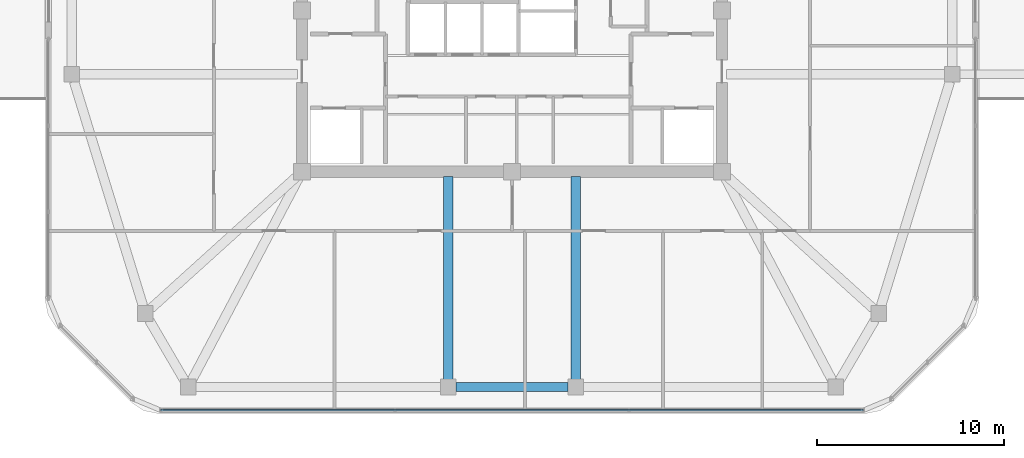
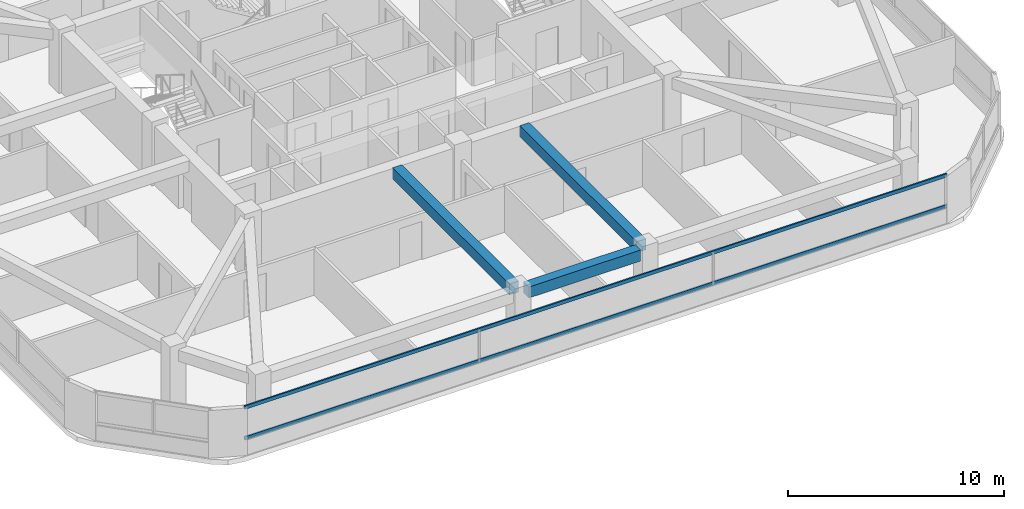
# One storey, part 3 of 14: 3 beams, 2 members, 1 element without a shape of its own.
"""IFC4 building model written with IfcOpenShell, lengths in metres."""

from ifc_helpers import new_model, si_unit, derived_unit, direction, frame, origin, origin_2d, place, context, subcontext, project, spatial, rectangle, extrude, material, material_profile, profile_set, type_object, element, aggregate, save


model = new_model("IFC4")

# Units and contexts
model_context = context("Model", 3, precision=1e-05, world=origin(), true_north=direction((0.0, 1.0)))
body_context = subcontext(model_context, "Body", "Model", "MODEL_VIEW")
ifc_project = project(units=[si_unit("LENGTHUNIT", "METRE"), si_unit("AREAUNIT", "SQUARE_METRE"), si_unit("VOLUMEUNIT", "CUBIC_METRE"), si_unit("PLANEANGLEUNIT", "RADIAN"), si_unit("MASSUNIT", "GRAM", prefix="KILO"), derived_unit("THERMALTRANSMITTANCEUNIT", [(si_unit("POWERUNIT", "WATT"), 1), (si_unit("LENGTHUNIT", "METRE"), -2), (si_unit("THERMODYNAMICTEMPERATUREUNIT", "KELVIN"), -1)])], contexts=[model_context])

# Site, building, storey
site_placement = place(None, origin())
site = spatial("IfcSite", under=ifc_project, at=site_placement, CompositionType="ELEMENT")
building_placement = place(site_placement, origin())
building = spatial("IfcBuilding", under=site, at=building_placement, Name="Koralith Skygarden Medical Center", CompositionType="ELEMENT")
storey_placement = place(building_placement, frame((0.0, 0.0, 242.820068359375)))
storey = spatial("IfcBuildingStorey", under=building, at=storey_placement, Name="L62", CompositionType="ELEMENT", Elevation=242.820068359375)

# Curtain wall, members
ifc_material_1 = material(Name="Clear Laminated Glass", Category="glass")
curtain_wall_type = type_object("IfcCurtainWallType", Name="CW-6 Zone 5 Upper Clinical Curtain Wall", PredefinedType="NOTDEFINED", material=ifc_material_1)
curtain_wall_placement = place(storey_placement, origin())
curtain_wall = element("IfcCurtainWall", 1, at=curtain_wall_placement, inside=storey, type_object=curtain_wall_type, Name="Curtain Wall CW-L62-S", PredefinedType="NOTDEFINED")
ifc_material_2 = material(Name="Aluminium 6063-T6", Category="aluminium")
ifc_material_profile_1 = material_profile(ifc_material_2, rectangle(XDim=0.077880859375, YDim=0.197998046875, at=origin_2d()), Name="TRN78X198")
ifc_profile_set_1 = profile_set([ifc_material_profile_1], Name="Aluminium 6063-T6")
member_type = type_object("IfcMemberType", Name="CW-6 Thermal Transom 78x198", PredefinedType="USERDEFINED", material=ifc_profile_set_1)
member_1_placement = place(storey_placement, frame((18.2548828125, 4.580078125, 0.89990234375), z_axis=(1.0, 0.0, 0.0), x_axis=(0.0, 1.0, 0.0)))
member_1 = element("IfcMember", 2, at=member_1_placement, type_object=member_type, Name="CW-L62-S Transom 1", ObjectType="TRANSOM", PredefinedType="USERDEFINED", context=body_context, shape_type="SweptSolid", body=[
    extrude(rectangle(XDim=0.077880859375, YDim=0.197998046875, at=origin_2d()), origin(), (0.0, 0.0, 1.0), 37.490234375),
])
member_2_placement = place(storey_placement, frame((18.2548828125, 4.580078125, 2.639892578125), z_axis=(1.0, 0.0, 0.0), x_axis=(0.0, 1.0, 0.0)))
member_2 = element("IfcMember", 3, at=member_2_placement, type_object=member_type, Name="CW-L62-S Transom 2", ObjectType="TRANSOM", PredefinedType="USERDEFINED", context=body_context, shape_type="SweptSolid", body=[
    extrude(rectangle(XDim=0.077880859375, YDim=0.197998046875, at=origin_2d()), origin(), (0.0, 0.0, 1.0), 37.490234375),
])
aggregate(curtain_wall, [member_1, member_2])

# Beams
ifc_material_3 = material(Name="Concrete C45/55", Category="concrete")
ifc_material_profile_2 = material_profile(ifc_material_3, rectangle(XDim=0.5, YDim=0.6201171875, at=origin_2d()), Name="RCB500X620")
ifc_profile_set_2 = profile_set([ifc_material_profile_2], Name="Concrete C45/55")
beam_type_1 = type_object("IfcBeamType", Name="Upper Radial Collector Beam RCB500X620", PredefinedType="BEAM", material=ifc_profile_set_2)
for number, where, z_axis, x_axis, name in (
    (4, (33.60009765625, 17.050048828125, 3.010009765625), (0.0, -1.0, 0.0), (1.0, 0.0, 0.0), "L62 Radial Collector Beam RB-04"),
    (5, (40.39990234375, 17.050048828125, 3.010009765625), (0.0, -1.0, 0.0), (1.0, 0.0, 0.0), "L62 Radial Collector Beam RB-05"),
):
    element("IfcBeam", number, at=place(storey_placement, frame(where, z_axis=z_axis, x_axis=x_axis)), inside=storey, type_object=beam_type_1, Name=name, PredefinedType="BEAM", context=body_context, shape_type="SweptSolid", body=[
        extrude(rectangle(XDim=0.5, YDim=0.6201171875, at=origin_2d()), origin(), (0.0, 0.0, 1.0), 10.820068359375),
    ])
ifc_material_profile_3 = material_profile(ifc_material_3, rectangle(XDim=0.5, YDim=0.6201171875, at=origin_2d()), Name="RCB500X620")
ifc_profile_set_3 = profile_set([ifc_material_profile_3], Name="Concrete C45/55")
beam_type_2 = type_object("IfcBeamType", Name="Zone 4-5 Spandrel Beam RCB500X620", PredefinedType="SPANDREL", material=ifc_profile_set_3)
beam_placement = place(storey_placement, frame((34.010009765625, 5.820068359375, 3.010009765625), z_axis=(1.0, 0.0, 0.0), x_axis=(0.0, 1.0, 0.0)))
element("IfcBeam", 6, at=beam_placement, inside=storey, type_object=beam_type_2, Name="L62 Perimeter Spandrel Beam SP-04", PredefinedType="SPANDREL", context=body_context, shape_type="SweptSolid", body=[
    extrude(rectangle(XDim=0.5, YDim=0.6201171875, at=origin_2d()), origin(), (0.0, 0.0, 1.0), 5.97998046875),
])

save(model, "model.ifc")
